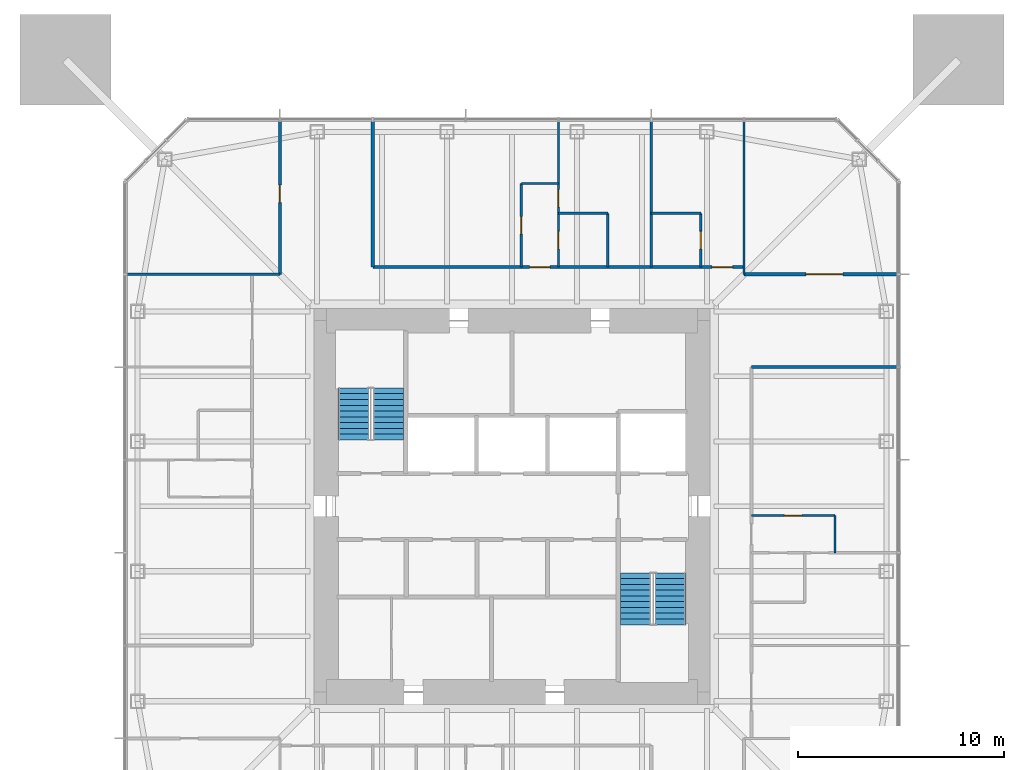
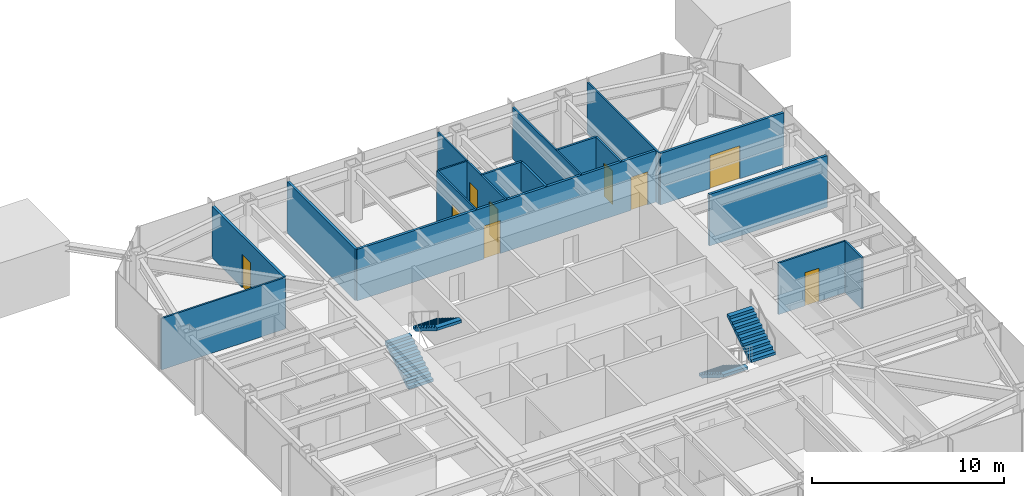
# One storey, part 8 of 11: 17 walls, 9 doors, 4 stair flights, 9 openings, 2 elements without a shape of their own.
"""IFC4 building model written with IfcOpenShell, lengths in metres."""

from ifc_helpers import new_model, si_unit, direction, frame, frame_2d, origin, place, context, subcontext, project, spatial, polyline, rectangle, outline, extrude, material, layer, layer_set, constituent, constituent_set, type_object, element, fill, aggregate, save


model = new_model("IFC4")

# Units and contexts
model_context = context("Model", 3, precision=1e-05, world=origin(), true_north=direction((0.0, 1.0)))
body_context = subcontext(model_context, "Body", "Model", "MODEL_VIEW")
ifc_project = project(units=[si_unit("LENGTHUNIT", "METRE"), si_unit("AREAUNIT", "SQUARE_METRE"), si_unit("VOLUMEUNIT", "CUBIC_METRE"), si_unit("PLANEANGLEUNIT", "RADIAN"), si_unit("MASSUNIT", "GRAM", prefix="KILO")], contexts=[model_context])

# Site, building, storey
site_placement = place(None, origin())
site = spatial("IfcSite", under=ifc_project, at=site_placement, CompositionType="ELEMENT")
building_placement = place(site_placement, origin())
building = spatial("IfcBuilding", under=site, at=building_placement, Name="Iwan Alto Co-Living Towers", CompositionType="ELEMENT")
storey_placement = place(building_placement, frame((0.0, 0.0, 188.0)))
storey = spatial("IfcBuildingStorey", under=building, at=storey_placement, Name="L51", CompositionType="ELEMENT", Elevation=188.0)

# Wall
ifc_material_1 = material(Name="Gypsum board")
ifc_layer_1 = layer(ifc_material_1, 0.02490234375, Name="Board", Category="Finish")
ifc_material_2 = material(Name="Steel ASTM A1003 ST33H cold-formed studs", Category="steel")
ifc_layer_2 = layer(ifc_material_2, 0.10009765625, Name="Studs", Category="Framing")
ifc_layer_3 = layer(ifc_material_1, 0.02490234375, Name="Board", Category="Finish")
ifc_layer_set_1 = layer_set([ifc_layer_1, ifc_layer_2, ifc_layer_3], Name="CORRIDOR WALL 150")
wall_type_1 = type_object("IfcWallType", Name="CORRIDOR WALL 150", PredefinedType="PARTITIONING", material=ifc_layer_set_1)
wall_1_placement = place(storey_placement, frame((11.60009765625, 6.75, 0.0), z_axis=(0.0, 0.0, 1.0), x_axis=(1.0, 0.0, 0.0)))
element("IfcWall", 1, at=wall_1_placement, inside=storey, type_object=wall_type_1, Name="Partition L51", PredefinedType="PARTITIONING", context=body_context, shape_type="SweptSolid", body=[
    extrude(rectangle(XDim=7.08984375, YDim=0.14990234375, at=frame_2d((3.544921875, 0.0))), origin(), (0.0, 0.0, 1.0), 3.27001953125),
])

# Wall, opening, door
wall_2_placement = place(storey_placement, frame((11.25, 11.25, 0.0), z_axis=(0.0, 0.0, 1.0), x_axis=(1.0, 0.0, 0.0)))
wall_2 = element("IfcWall", 2, at=wall_2_placement, inside=storey, type_object=wall_type_1, Name="Partition L51", PredefinedType="PARTITIONING", context=body_context, shape_type="SweptSolid", body=[
    extrude(rectangle(XDim=7.43994140625, YDim=0.14990234375, at=frame_2d((3.719970703125, 0.0))), origin(), (0.0, 0.0, 1.0), 3.27001953125),
])
opening_1_placement = place(wall_2_placement, frame((2.9951171875, 0.0, 0.0)))
opening_1 = element("IfcOpeningElement", 3, at=opening_1_placement, cuts=wall_2, Name="Opening D9", PredefinedType="OPENING", context=body_context, shape_type="SweptSolid", body=[
    extrude(rectangle(XDim=1.800048828125, YDim=2.10009765625, at=frame_2d((0.89990234375, 1.050048828125))), frame((0.0, 0.0849609375, 0.0), z_axis=(0.0, -1.0, 0.0), x_axis=(1.0, 0.0, 0.0)), (0.0, 0.0, 1.0), 0.169921875),
])
ifc_material_3 = material(Name="Steel frame with timber leaf", Category="steel")
door_type_1 = type_object("IfcDoorType", Name="LOUNGE DOOR FD30S 1800X2100", OperationType="DOUBLE_DOOR_SINGLE_SWING", PredefinedType="DOOR", material=ifc_material_3)
door_1_placement = place(opening_1_placement, origin())
door_1 = element("IfcDoor", 4, at=door_1_placement, inside=storey, type_object=door_type_1, Name="Study lounge door L51", OperationType="DOUBLE_DOOR_SINGLE_SWING", OverallHeight=2.10009765625, OverallWidth=1.800048828125, PredefinedType="DOOR", context=body_context, shape_type="SweptSolid", body=[
    extrude(rectangle(XDim=1.800048828125, YDim=2.10009765625, at=frame_2d((0.89990234375, 1.050048828125))), frame((0.0, 0.02490234375, 0.0), z_axis=(0.0, -1.0, 0.0), x_axis=(1.0, 0.0, 0.0)), (0.0, 0.0, 1.0), 0.050048828125),
])
fill(opening_1, door_1)

# Wall, openings, doors
wall_3_placement = place(storey_placement, frame((-6.75, 11.60009765625, 0.0), z_axis=(0.0, 0.0, 1.0), x_axis=(1.0, 0.0, 0.0)))
wall_3 = element("IfcWall", 5, at=wall_3_placement, inside=storey, type_object=wall_type_1, Name="Partition L51", PredefinedType="PARTITIONING", context=body_context, shape_type="SweptSolid", body=[
    extrude(rectangle(XDim=18.0, YDim=0.14990234375, at=frame_2d((9.0, 0.0))), origin(), (0.0, 0.0, 1.0), 3.27001953125),
])
opening_2_placement = place(wall_3_placement, frame((16.449951171875, 0.0, 0.0)))
opening_2 = element("IfcOpeningElement", 6, at=opening_2_placement, cuts=wall_3, Name="Opening D3", PredefinedType="OPENING", context=body_context, shape_type="SweptSolid", body=[
    extrude(rectangle(XDim=1.0, YDim=2.10009765625, at=frame_2d((0.5, 1.050048828125))), frame((0.0, 0.0849609375, 0.0), z_axis=(0.0, -1.0, 0.0), x_axis=(1.0, 0.0, 0.0)), (0.0, 0.0, 1.0), 0.169921875),
])
opening_3_placement = place(wall_3_placement, frame((7.60009765625, 0.0, 0.0)))
opening_3 = element("IfcOpeningElement", 7, at=opening_3_placement, cuts=wall_3, Name="Opening D3", PredefinedType="OPENING", context=body_context, shape_type="SweptSolid", body=[
    extrude(rectangle(XDim=1.0, YDim=2.10009765625, at=frame_2d((0.5, 1.050048828125))), frame((0.0, 0.0849609375, 0.0), z_axis=(0.0, -1.0, 0.0), x_axis=(1.0, 0.0, 0.0)), (0.0, 0.0, 1.0), 0.169921875),
])
ifc_material_4 = material(Name="Steel frame with timber leaf", Category="steel")
door_type_2 = type_object("IfcDoorType", Name="FLAT ENTRANCE DOOR FD30S 1000X2100", OperationType="SINGLE_SWING_LEFT", PredefinedType="DOOR", material=ifc_material_4)
door_2_placement = place(opening_2_placement, origin())
door_2 = element("IfcDoor", 8, at=door_2_placement, inside=storey, type_object=door_type_2, Name="Studio door L51", OperationType="SINGLE_SWING_LEFT", OverallHeight=2.10009765625, OverallWidth=1.0, PredefinedType="DOOR", context=body_context, shape_type="SweptSolid", body=[
    extrude(rectangle(XDim=1.0, YDim=2.10009765625, at=frame_2d((0.5, 1.050048828125))), frame((0.0, 0.02490234375, 0.0), z_axis=(0.0, -1.0, 0.0), x_axis=(1.0, 0.0, 0.0)), (0.0, 0.0, 1.0), 0.050048828125),
])
fill(opening_2, door_2)
door_3_placement = place(opening_3_placement, origin())
door_3 = element("IfcDoor", 9, at=door_3_placement, inside=storey, type_object=door_type_2, Name="Apartment foyer door L51", OperationType="SINGLE_SWING_LEFT", OverallHeight=2.10009765625, OverallWidth=1.0, PredefinedType="DOOR", context=body_context, shape_type="SweptSolid", body=[
    extrude(rectangle(XDim=1.0, YDim=2.10009765625, at=frame_2d((0.5, 1.050048828125))), frame((0.0, 0.02490234375, 0.0), z_axis=(0.0, -1.0, 0.0), x_axis=(1.0, 0.0, 0.0)), (0.0, 0.0, 1.0), 0.050048828125),
])
fill(opening_3, door_3)

# Wall
wall_4_placement = place(storey_placement, frame((-6.75, 11.60009765625, 0.0), z_axis=(0.0, 0.0, 1.0), x_axis=(0.0, 1.0, 0.0)))
element("IfcWall", 10, at=wall_4_placement, inside=storey, type_object=wall_type_1, Name="Partition L51", PredefinedType="PARTITIONING", context=body_context, shape_type="SweptSolid", body=[
    extrude(rectangle(XDim=7.08984375, YDim=0.14990234375, at=frame_2d((3.544921875, 0.0))), origin(), (0.0, 0.0, 1.0), 3.27001953125),
])

# Wall, opening, door
wall_5_placement = place(storey_placement, frame((-11.25, 11.25, 0.0), z_axis=(0.0, 0.0, 1.0), x_axis=(0.0, 1.0, 0.0)))
wall_5 = element("IfcWall", 11, at=wall_5_placement, inside=storey, type_object=wall_type_1, Name="Partition L51", PredefinedType="PARTITIONING", context=body_context, shape_type="SweptSolid", body=[
    extrude(rectangle(XDim=7.43994140625, YDim=0.14990234375, at=frame_2d((3.719970703125, 0.0))), origin(), (0.0, 0.0, 1.0), 3.27001953125),
])
opening_4_placement = place(wall_5_placement, frame((3.469970703125, 0.0, 0.0)))
opening_4 = element("IfcOpeningElement", 12, at=opening_4_placement, cuts=wall_5, Name="Opening D2", PredefinedType="OPENING", context=body_context, shape_type="SweptSolid", body=[
    extrude(rectangle(XDim=0.85009765625, YDim=2.10009765625, at=frame_2d((0.425048828125, 1.050048828125))), frame((0.0, 0.0849609375, 0.0), z_axis=(0.0, -1.0, 0.0), x_axis=(1.0, 0.0, 0.0)), (0.0, 0.0, 1.0), 0.169921875),
])
ifc_material_5 = material(Name="Timber leaf in steel frame", Category="steel")
door_type_3 = type_object("IfcDoorType", Name="ROOM DOOR 850X2100", OperationType="SINGLE_SWING_LEFT", PredefinedType="DOOR", material=ifc_material_5)
door_4_placement = place(opening_4_placement, origin())
door_4 = element("IfcDoor", 13, at=door_4_placement, inside=storey, type_object=door_type_3, Name="Shared kitchen and lounge door L51", OperationType="SINGLE_SWING_RIGHT", OverallHeight=2.10009765625, OverallWidth=0.85009765625, PredefinedType="DOOR", context=body_context, shape_type="SweptSolid", body=[
    extrude(rectangle(XDim=0.85009765625, YDim=2.10009765625, at=frame_2d((0.425048828125, 1.050048828125))), frame((0.0, 0.02490234375, 0.0), z_axis=(0.0, -1.0, 0.0), x_axis=(1.0, 0.0, 0.0)), (0.0, 0.0, 1.0), 0.050048828125),
])
fill(opening_4, door_4)

ifc_layer_4 = layer(ifc_material_1, 0.012451171875, Name="Board", Category="Finish")
ifc_layer_5 = layer(ifc_material_2, 0.074951171875, Name="Studs", Category="Framing")
ifc_layer_6 = layer(ifc_material_1, 0.012451171875, Name="Board", Category="Finish")
ifc_layer_set_2 = layer_set([ifc_layer_4, ifc_layer_5, ifc_layer_6], Name="PARTITION 100")
wall_type_2 = type_object("IfcWallType", Name="PARTITION 100", PredefinedType="PARTITIONING", material=ifc_layer_set_2)
wall_6_placement = place(storey_placement, frame((11.60009765625, -0.449951171875, 0.0), z_axis=(0.0, 0.0, 1.0), x_axis=(1.0, 0.0, 0.0)))
wall_6 = element("IfcWall", 14, at=wall_6_placement, inside=storey, type_object=wall_type_2, Name="Partition L51", PredefinedType="PARTITIONING", context=body_context, shape_type="SweptSolid", body=[
    extrude(rectangle(XDim=4.0498046875, YDim=0.10009765625, at=frame_2d((2.02490234375, 0.0))), origin(), (0.0, 0.0, 1.0), 3.27001953125),
])
opening_5_placement = place(wall_6_placement, frame((1.60009765625, 0.0, 0.0)))
opening_5 = element("IfcOpeningElement", 15, at=opening_5_placement, cuts=wall_6, Name="Opening D2", PredefinedType="OPENING", context=body_context, shape_type="SweptSolid", body=[
    extrude(rectangle(XDim=0.85009765625, YDim=2.10009765625, at=frame_2d((0.425048828125, 1.050048828125))), frame((0.0, 0.06005859375, 0.0), z_axis=(0.0, -1.0, 0.0), x_axis=(1.0, 0.0, 0.0)), (0.0, 0.0, 1.0), 0.1201171875),
])
door_5_placement = place(opening_5_placement, origin())
door_5 = element("IfcDoor", 16, at=door_5_placement, inside=storey, type_object=door_type_3, Name="Apartment foyer door L51", OperationType="SINGLE_SWING_LEFT", OverallHeight=2.10009765625, OverallWidth=0.85009765625, PredefinedType="DOOR", context=body_context, shape_type="SweptSolid", body=[
    extrude(rectangle(XDim=0.85009765625, YDim=2.10009765625, at=frame_2d((0.425048828125, 1.050048828125))), frame((0.0, 0.02490234375, 0.0), z_axis=(0.0, -1.0, 0.0), x_axis=(1.0, 0.0, 0.0)), (0.0, 0.0, 1.0), 0.050048828125),
])
fill(opening_5, door_5)

# Walls
wall_7_placement = place(storey_placement, frame((-18.68994140625, 11.25, 0.0), z_axis=(0.0, 0.0, 1.0), x_axis=(1.0, 0.0, 0.0)))
element("IfcWall", 17, at=wall_7_placement, inside=storey, type_object=wall_type_2, Name="Partition L51", PredefinedType="PARTITIONING", context=body_context, shape_type="SweptSolid", body=[
    extrude(rectangle(XDim=7.43994140625, YDim=0.10009765625, at=frame_2d((3.719970703125, 0.0))), origin(), (0.0, 0.0, 1.0), 3.27001953125),
])
for number, where, z_axis, x_axis, name in (
    (18, (0.449951171875, 15.64990234375, 0.0), (0.0, 0.0, 1.0), (1.0, 0.0, 0.0), "Partition L51"),
    (19, (15.64990234375, -2.25, 0.0), (0.0, 0.0, 1.0), (0.0, 1.0, 0.0), "Partition L51"),
):
    element("IfcWall", number, at=place(storey_placement, frame(where, z_axis=z_axis, x_axis=x_axis)), inside=storey, type_object=wall_type_2, Name=name, PredefinedType="PARTITIONING", context=body_context, shape_type="SweptSolid", body=[
        extrude(rectangle(XDim=1.800048828125, YDim=0.10009765625, at=frame_2d((0.89990234375, 0.0))), origin(), (0.0, 0.0, 1.0), 3.27001953125),
    ])
wall_8_placement = place(storey_placement, frame((11.25, 11.25, 0.0), z_axis=(0.0, 0.0, 1.0), x_axis=(0.0, 1.0, 0.0)))
element("IfcWall", 20, at=wall_8_placement, inside=storey, type_object=wall_type_2, Name="Partition L51", PredefinedType="PARTITIONING", context=body_context, shape_type="SweptSolid", body=[
    extrude(rectangle(XDim=7.43994140625, YDim=0.10009765625, at=frame_2d((3.719970703125, 0.0))), origin(), (0.0, 0.0, 1.0), 3.27001953125),
])
wall_9_placement = place(storey_placement, frame((6.75, 11.60009765625, 0.0), z_axis=(0.0, 0.0, 1.0), x_axis=(0.0, 1.0, 0.0)))
element("IfcWall", 21, at=wall_9_placement, inside=storey, type_object=wall_type_2, Name="Partition L51", PredefinedType="PARTITIONING", context=body_context, shape_type="SweptSolid", body=[
    extrude(rectangle(XDim=7.08984375, YDim=0.10009765625, at=frame_2d((3.544921875, 0.0))), origin(), (0.0, 0.0, 1.0), 3.27001953125),
])

# Wall, openings, doors
wall_10_placement = place(storey_placement, frame((2.25, 11.60009765625, 0.0), z_axis=(0.0, 0.0, 1.0), x_axis=(0.0, 1.0, 0.0)))
wall_10 = element("IfcWall", 22, at=wall_10_placement, inside=storey, type_object=wall_type_2, Name="Partition L51", PredefinedType="PARTITIONING", context=body_context, shape_type="SweptSolid", body=[
    extrude(rectangle(XDim=7.08984375, YDim=0.10009765625, at=frame_2d((3.544921875, 0.0))), origin(), (0.0, 0.0, 1.0), 3.27001953125),
])
opening_6_placement = place(wall_10_placement, frame((2.89990234375, 0.0, 0.0)))
opening_6 = element("IfcOpeningElement", 23, at=opening_6_placement, cuts=wall_10, Name="Opening D2", PredefinedType="OPENING", context=body_context, shape_type="SweptSolid", body=[
    extrude(rectangle(XDim=0.85009765625, YDim=2.10009765625, at=frame_2d((0.425048828125, 1.050048828125))), frame((0.0, 0.06005859375, 0.0), z_axis=(0.0, -1.0, 0.0), x_axis=(1.0, 0.0, 0.0)), (0.0, 0.0, 1.0), 0.1201171875),
])
opening_7_placement = place(wall_10_placement, frame((0.875, 0.0, 0.0)))
opening_7 = element("IfcOpeningElement", 24, at=opening_7_placement, cuts=wall_10, Name="Opening D2", PredefinedType="OPENING", context=body_context, shape_type="SweptSolid", body=[
    extrude(rectangle(XDim=0.85009765625, YDim=2.10009765625, at=frame_2d((0.425048828125, 1.050048828125))), frame((0.0, 0.06005859375, 0.0), z_axis=(0.0, -1.0, 0.0), x_axis=(1.0, 0.0, 0.0)), (0.0, 0.0, 1.0), 0.1201171875),
])
door_6_placement = place(opening_6_placement, frame((0.85009765625, 0.0, 0.0), z_axis=(0.0, 0.0, 1.0), x_axis=(-1.0, 0.0, 0.0)))
door_6 = element("IfcDoor", 25, at=door_6_placement, inside=storey, type_object=door_type_3, Name="Bedroom door L51", OperationType="SINGLE_SWING_RIGHT", OverallHeight=2.10009765625, OverallWidth=0.85009765625, PredefinedType="DOOR", context=body_context, shape_type="SweptSolid", body=[
    extrude(rectangle(XDim=0.85009765625, YDim=2.10009765625, at=frame_2d((0.425048828125, 1.050048828125))), frame((0.0, 0.02490234375, 0.0), z_axis=(0.0, -1.0, 0.0), x_axis=(1.0, 0.0, 0.0)), (0.0, 0.0, 1.0), 0.050048828125),
])
fill(opening_6, door_6)
door_7_placement = place(opening_7_placement, frame((0.85009765625, 0.0, 0.0), z_axis=(0.0, 0.0, 1.0), x_axis=(-1.0, 0.0, 0.0)))
door_7 = element("IfcDoor", 26, at=door_7_placement, inside=storey, type_object=door_type_3, Name="Bathroom door L51", OperationType="SINGLE_SWING_RIGHT", OverallHeight=2.10009765625, OverallWidth=0.85009765625, PredefinedType="DOOR", context=body_context, shape_type="SweptSolid", body=[
    extrude(rectangle(XDim=0.85009765625, YDim=2.10009765625, at=frame_2d((0.425048828125, 1.050048828125))), frame((0.0, 0.02490234375, 0.0), z_axis=(0.0, -1.0, 0.0), x_axis=(1.0, 0.0, 0.0)), (0.0, 0.0, 1.0), 0.050048828125),
])
fill(opening_7, door_7)

# Wall, opening, door
wall_11_placement = place(storey_placement, frame((0.449951171875, 11.60009765625, 0.0), z_axis=(0.0, 0.0, 1.0), x_axis=(0.0, 1.0, 0.0)))
wall_11 = element("IfcWall", 27, at=wall_11_placement, inside=storey, type_object=wall_type_2, Name="Partition L51", PredefinedType="PARTITIONING", context=body_context, shape_type="SweptSolid", body=[
    extrude(rectangle(XDim=4.0498046875, YDim=0.10009765625, at=frame_2d((2.02490234375, 0.0))), origin(), (0.0, 0.0, 1.0), 3.27001953125),
])
opening_8_placement = place(wall_11_placement, frame((1.60009765625, 0.0, 0.0)))
opening_8 = element("IfcOpeningElement", 28, at=opening_8_placement, cuts=wall_11, Name="Opening D2", PredefinedType="OPENING", context=body_context, shape_type="SweptSolid", body=[
    extrude(rectangle(XDim=0.85009765625, YDim=2.10009765625, at=frame_2d((0.425048828125, 1.050048828125))), frame((0.0, 0.06005859375, 0.0), z_axis=(0.0, -1.0, 0.0), x_axis=(1.0, 0.0, 0.0)), (0.0, 0.0, 1.0), 0.1201171875),
])
door_8_placement = place(opening_8_placement, origin())
door_8 = element("IfcDoor", 29, at=door_8_placement, inside=storey, type_object=door_type_3, Name="Apartment foyer door L51", OperationType="SINGLE_SWING_LEFT", OverallHeight=2.10009765625, OverallWidth=0.85009765625, PredefinedType="DOOR", context=body_context, shape_type="SweptSolid", body=[
    extrude(rectangle(XDim=0.85009765625, YDim=2.10009765625, at=frame_2d((0.425048828125, 1.050048828125))), frame((0.0, 0.02490234375, 0.0), z_axis=(0.0, -1.0, 0.0), x_axis=(1.0, 0.0, 0.0)), (0.0, 0.0, 1.0), 0.050048828125),
])
fill(opening_8, door_8)

# Walls
ifc_material_6 = material(Name="Cement board")
ifc_layer_7 = layer(ifc_material_6, 0.012451171875, Name="Board", Category="Finish")
ifc_layer_8 = layer(ifc_material_2, 0.094970703125, Name="Studs", Category="Framing")
ifc_layer_9 = layer(ifc_material_6, 0.012451171875, Name="Board", Category="Finish")
ifc_layer_set_3 = layer_set([ifc_layer_7, ifc_layer_8, ifc_layer_9], Name="WET AREA PARTITION 120")
wall_type_3 = type_object("IfcWallType", Name="WET AREA PARTITION 120", PredefinedType="PARTITIONING", material=ifc_layer_set_3)
for number, where, z_axis, x_axis, name in (
    (30, (2.25, 14.199951171875, 0.0), (0.0, 0.0, 1.0), (1.0, 0.0, 0.0), "Partition L51"),
    (31, (6.75, 14.199951171875, 0.0), (0.0, 0.0, 1.0), (1.0, 0.0, 0.0), "Partition L51"),
):
    element("IfcWall", number, at=place(storey_placement, frame(where, z_axis=z_axis, x_axis=x_axis)), inside=storey, type_object=wall_type_3, Name=name, PredefinedType="PARTITIONING", context=body_context, shape_type="SweptSolid", body=[
        extrude(rectangle(XDim=2.39990234375, YDim=0.1201171875, at=frame_2d((1.199951171875, 0.0))), origin(), (0.0, 0.0, 1.0), 3.27001953125),
    ])

# Wall, opening, door
wall_12_placement = place(storey_placement, frame((9.14990234375, 11.60009765625, 0.0), z_axis=(0.0, 0.0, 1.0), x_axis=(0.0, 1.0, 0.0)))
wall_12 = element("IfcWall", 32, at=wall_12_placement, inside=storey, type_object=wall_type_3, Name="Partition L51", PredefinedType="PARTITIONING", context=body_context, shape_type="SweptSolid", body=[
    extrude(rectangle(XDim=2.599853515625, YDim=0.1201171875, at=frame_2d((1.2998046875, 0.0))), origin(), (0.0, 0.0, 1.0), 3.27001953125),
])
opening_9_placement = place(wall_12_placement, frame((0.875, 0.0, 0.0)))
opening_9 = element("IfcOpeningElement", 33, at=opening_9_placement, cuts=wall_12, Name="Opening D2", PredefinedType="OPENING", context=body_context, shape_type="SweptSolid", body=[
    extrude(rectangle(XDim=0.85009765625, YDim=2.10009765625, at=frame_2d((0.425048828125, 1.050048828125))), frame((0.0, 0.070068359375, 0.0), z_axis=(0.0, -1.0, 0.0), x_axis=(1.0, 0.0, 0.0)), (0.0, 0.0, 1.0), 0.14013671875),
])
door_9_placement = place(opening_9_placement, frame((0.85009765625, 0.0, 0.0), z_axis=(0.0, 0.0, 1.0), x_axis=(-1.0, 0.0, 0.0)))
door_9 = element("IfcDoor", 34, at=door_9_placement, inside=storey, type_object=door_type_3, Name="En-suite shower room door L51", OperationType="SINGLE_SWING_RIGHT", OverallHeight=2.10009765625, OverallWidth=0.85009765625, PredefinedType="DOOR", context=body_context, shape_type="SweptSolid", body=[
    extrude(rectangle(XDim=0.85009765625, YDim=2.10009765625, at=frame_2d((0.425048828125, 1.050048828125))), frame((0.0, 0.02490234375, 0.0), z_axis=(0.0, -1.0, 0.0), x_axis=(1.0, 0.0, 0.0)), (0.0, 0.0, 1.0), 0.050048828125),
])
fill(opening_9, door_9)

# Wall
wall_13_placement = place(storey_placement, frame((4.64990234375, 11.60009765625, 0.0), z_axis=(0.0, 0.0, 1.0), x_axis=(0.0, 1.0, 0.0)))
element("IfcWall", 35, at=wall_13_placement, inside=storey, type_object=wall_type_3, Name="Partition L51", PredefinedType="PARTITIONING", context=body_context, shape_type="SweptSolid", body=[
    extrude(rectangle(XDim=2.599853515625, YDim=0.1201171875, at=frame_2d((1.2998046875, 0.0))), origin(), (0.0, 0.0, 1.0), 3.27001953125),
])

# Stair, stair flights
ifc_material_7 = material(Name="Steel ASTM A36", Category="steel")
ifc_constituent_1 = constituent(ifc_material_7, Name="Stringers", Category="LoadBearing")
ifc_material_8 = material(Name="Concrete f'c 30 MPa", Category="concrete")
ifc_constituent_2 = constituent(ifc_material_8, Name="Tread fill", Category="Finish")
ifc_constituent_set_1 = constituent_set(constituents=[ifc_constituent_1, ifc_constituent_2], Name="STAIR 3500 TWO-FLIGHT T1 CORE")
stair_type = type_object("IfcStairType", Name="STAIR 3500 TWO-FLIGHT T1 CORE", PredefinedType="HALF_TURN_STAIR", material=ifc_constituent_set_1)
stair_1_placement = place(storey_placement, origin())
stair_1 = element("IfcStair", 36, at=stair_1_placement, inside=storey, type_object=stair_type, Name="Stair T1-S1 L51 to L52", PredefinedType="HALF_TURN_STAIR")
ifc_constituent_3 = constituent(ifc_material_7, Name="Stringers", Category="LoadBearing")
ifc_constituent_4 = constituent(ifc_material_8, Name="Tread fill", Category="Finish")
ifc_constituent_set_2 = constituent_set(constituents=[ifc_constituent_3, ifc_constituent_4], Name="STAIR FLIGHT 10 RISERS 280 GOING")
stair_flight_type = type_object("IfcStairFlightType", Name="STAIR FLIGHT 10 RISERS 280 GOING", PredefinedType="STRAIGHT", material=ifc_constituent_set_2)
stair_flight_1_placement = place(storey_placement, frame((-7.68994140625, 3.219970703125, 0.0), z_axis=(0.0, 0.0, 1.0), x_axis=(0.0, 1.0, 0.0)))
stair_flight_1 = element("IfcStairFlight", 37, at=stair_flight_1_placement, type_object=stair_flight_type, Name="T1-S1 flight 1", NumberOfRisers=10, NumberOfTreads=9, PredefinedType="STRAIGHT", RiserHeight=0.175, TreadLength=0.28, context=body_context, shape_type="SweptSolid", body=[
    extrude(outline(polyline([(0.0, 0.0), (0.0, 0.175048828125), (0.280029296875, 0.175048828125), (0.280029296875, 0.35009765625), (0.56005859375, 0.35009765625), (0.56005859375, 0.52490234375), (0.840087890625, 0.52490234375), (0.840087890625, 0.699951171875), (1.1201171875, 0.699951171875), (1.1201171875, 0.875), (1.39990234375, 0.875), (1.39990234375, 1.050048828125), (1.679931640625, 1.050048828125), (1.679931640625, 1.22509765625), (1.9599609375, 1.22509765625), (1.9599609375, 1.39990234375), (2.239990234375, 1.39990234375), (2.239990234375, 1.574951171875), (2.52001953125, 1.574951171875), (2.52001953125, 1.75), (2.52001953125, 1.398193359375), (0.28271484375, 0.0), (0.0, 0.0)])), frame((0.0, 0.739990234375, 0.0), z_axis=(0.0, -1.0, 0.0), x_axis=(1.0, 0.0, 0.0)), (0.0, 0.0, 1.0), 1.47998046875),
])
stair_flight_2_placement = place(storey_placement, frame((-6.010009765625, 5.739990234375, 1.75), z_axis=(0.0, 0.0, 1.0), x_axis=(0.0, -1.0, 0.0)))
stair_flight_2 = element("IfcStairFlight", 38, at=stair_flight_2_placement, type_object=stair_flight_type, Name="T1-S1 flight 2", NumberOfRisers=10, NumberOfTreads=9, PredefinedType="STRAIGHT", RiserHeight=0.175, TreadLength=0.28, context=body_context, shape_type="SweptSolid", body=[
    extrude(outline(polyline([(0.0, 0.0), (0.0, 0.175048828125), (0.280029296875, 0.175048828125), (0.280029296875, 0.35009765625), (0.56005859375, 0.35009765625), (0.56005859375, 0.52490234375), (0.840087890625, 0.52490234375), (0.840087890625, 0.699951171875), (1.1201171875, 0.699951171875), (1.1201171875, 0.875), (1.39990234375, 0.875), (1.39990234375, 1.050048828125), (1.679931640625, 1.050048828125), (1.679931640625, 1.22509765625), (1.9599609375, 1.22509765625), (1.9599609375, 1.39990234375), (2.239990234375, 1.39990234375), (2.239990234375, 1.574951171875), (2.52001953125, 1.574951171875), (2.52001953125, 1.75), (2.52001953125, 1.398193359375), (0.28271484375, 0.0), (0.0, 0.0)])), frame((0.0, 0.739990234375, 0.0), z_axis=(0.0, -1.0, 0.0), x_axis=(1.0, 0.0, 0.0)), (0.0, 0.0, 1.0), 1.47998046875),
])
aggregate(stair_1, [stair_flight_1, stair_flight_2])

stair_2_placement = place(storey_placement, origin())
stair_2 = element("IfcStair", 39, at=stair_2_placement, inside=storey, type_object=stair_type, Name="Stair T1-S2 L51 to L52", PredefinedType="HALF_TURN_STAIR")
stair_flight_3_placement = place(storey_placement, frame((6.010009765625, -3.219970703125, 0.0), z_axis=(0.0, 0.0, 1.0), x_axis=(0.0, -1.0, 0.0)))
stair_flight_3 = element("IfcStairFlight", 40, at=stair_flight_3_placement, type_object=stair_flight_type, Name="T1-S2 flight 1", NumberOfRisers=10, NumberOfTreads=9, PredefinedType="STRAIGHT", RiserHeight=0.175, TreadLength=0.28, context=body_context, shape_type="SweptSolid", body=[
    extrude(outline(polyline([(0.0, 0.0), (0.0, 0.175048828125), (0.280029296875, 0.175048828125), (0.280029296875, 0.35009765625), (0.56005859375, 0.35009765625), (0.56005859375, 0.52490234375), (0.840087890625, 0.52490234375), (0.840087890625, 0.699951171875), (1.1201171875, 0.699951171875), (1.1201171875, 0.875), (1.39990234375, 0.875), (1.39990234375, 1.050048828125), (1.679931640625, 1.050048828125), (1.679931640625, 1.22509765625), (1.9599609375, 1.22509765625), (1.9599609375, 1.39990234375), (2.239990234375, 1.39990234375), (2.239990234375, 1.574951171875), (2.52001953125, 1.574951171875), (2.52001953125, 1.75), (2.52001953125, 1.398193359375), (0.28271484375, 0.0), (0.0, 0.0)])), frame((0.0, 0.739990234375, 0.0), z_axis=(0.0, -1.0, 0.0), x_axis=(1.0, 0.0, 0.0)), (0.0, 0.0, 1.0), 1.47998046875),
])
stair_flight_4_placement = place(storey_placement, frame((7.68994140625, -5.739990234375, 1.75), z_axis=(0.0, 0.0, 1.0), x_axis=(0.0, 1.0, 0.0)))
stair_flight_4 = element("IfcStairFlight", 41, at=stair_flight_4_placement, type_object=stair_flight_type, Name="T1-S2 flight 2", NumberOfRisers=10, NumberOfTreads=9, PredefinedType="STRAIGHT", RiserHeight=0.175, TreadLength=0.28, context=body_context, shape_type="SweptSolid", body=[
    extrude(outline(polyline([(0.0, 0.0), (0.0, 0.175048828125), (0.280029296875, 0.175048828125), (0.280029296875, 0.35009765625), (0.56005859375, 0.35009765625), (0.56005859375, 0.52490234375), (0.840087890625, 0.52490234375), (0.840087890625, 0.699951171875), (1.1201171875, 0.699951171875), (1.1201171875, 0.875), (1.39990234375, 0.875), (1.39990234375, 1.050048828125), (1.679931640625, 1.050048828125), (1.679931640625, 1.22509765625), (1.9599609375, 1.22509765625), (1.9599609375, 1.39990234375), (2.239990234375, 1.39990234375), (2.239990234375, 1.574951171875), (2.52001953125, 1.574951171875), (2.52001953125, 1.75), (2.52001953125, 1.398193359375), (0.28271484375, 0.0), (0.0, 0.0)])), frame((0.0, 0.739990234375, 0.0), z_axis=(0.0, -1.0, 0.0), x_axis=(1.0, 0.0, 0.0)), (0.0, 0.0, 1.0), 1.47998046875),
])
aggregate(stair_2, [stair_flight_3, stair_flight_4])

save(model, "model.ifc")
